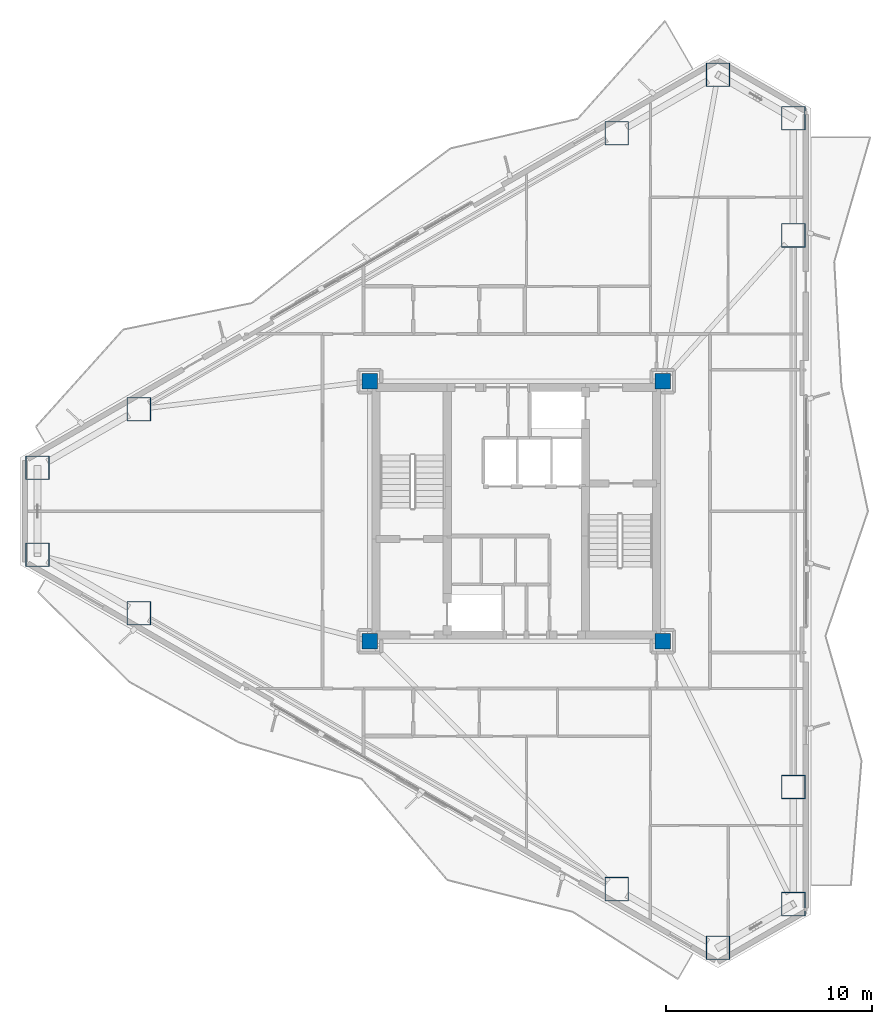
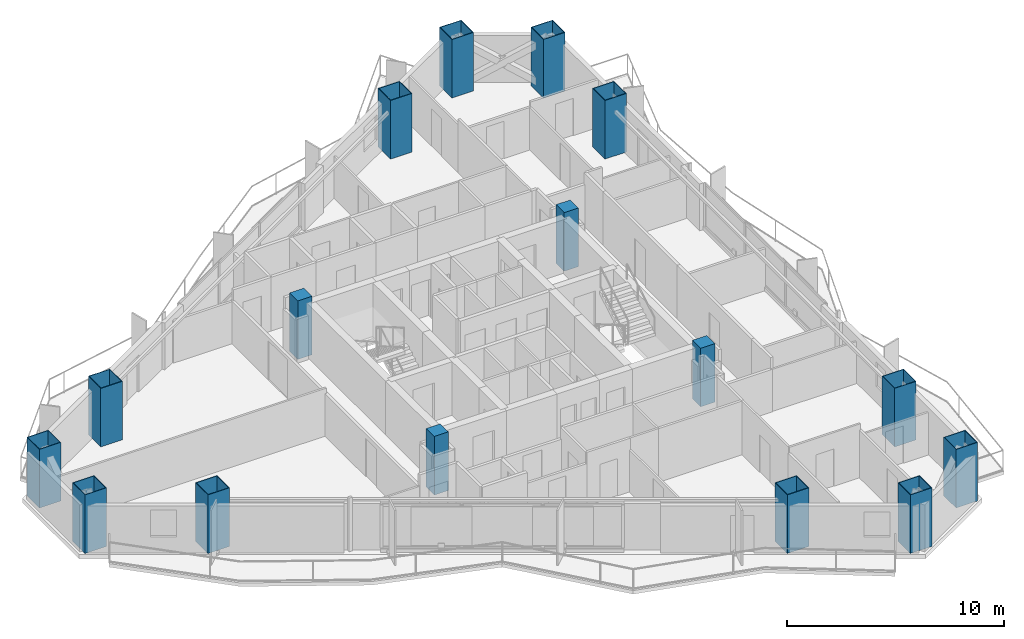
# One storey, part 1 of 22: 16 columns.
"""IFC4 building model written with IfcOpenShell, lengths in metres."""

import ifcopenshell
import ifcopenshell.guid

model = None  # the IFC model being written
_history = None  # IfcOwnerHistory: only IFC2X3 demands one
_inside = {}  # id of a spatial element -> (the spatial element, [elements in it])
_under = {}  # id of a project, library or spatial element -> (it, [spatial elements below it])
_declared = {}  # id of a project -> (the project, [libraries it declares])
_typed = {}  # id of a type object -> (the type object, [elements of that type])
_made_of = {}  # id of a material, layer set ... -> (it, [elements and type objects made of it])


def new_model(schema):
    """Start an empty IFC model of exactly this schema.

    Asked for "IFC4X3", IfcOpenShell would pick the latest addendum, in which some entities
    have other attributes; the version numbers below select the first issue.
    IFC2X3 requires an IfcOwnerHistory on every rooted entity: one is made here for all.
    """
    global model, _history
    if schema == "IFC4X3":
        model = ifcopenshell.file(schema_version=(4, 3, 0, 0))
    else:
        model = ifcopenshell.file(schema=schema)
    _inside.clear()
    _under.clear()
    _declared.clear()
    _typed.clear()
    _made_of.clear()
    _history = None
    if model.schema == "IFC2X3":
        org = make("IfcOrganization", Name="unknown")
        user = make(
            "IfcPersonAndOrganization",
            ThePerson=make("IfcPerson", FamilyName="unknown"),
            TheOrganization=org,
        )
        app = make(
            "IfcApplication",
            ApplicationDeveloper=org,
            Version="unknown",
            ApplicationFullName="unknown",
            ApplicationIdentifier="unknown",
        )
        _history = make(
            "IfcOwnerHistory",
            OwningUser=user,
            OwningApplication=app,
            ChangeAction="ADDED",
            CreationDate=0,
        )
    return model


def make(cls, **values):
    """One entity of the class cls with the attributes given. An attribute that is None is left unset."""
    return model.create_entity(
        cls, **{name: value for name, value in values.items() if value is not None}
    )


def rooted(cls, **values):
    """An entity with a GlobalId (a new one), such as an element, a storey or a relation."""
    return make(cls, GlobalId=ifcopenshell.guid.new(), OwnerHistory=_history, **values)


def si_unit(unit_type, name, prefix=None):
    """IfcSIUnit, for example si_unit("LENGTHUNIT", "METRE", prefix="MILLI")."""
    return make("IfcSIUnit", UnitType=unit_type, Prefix=prefix, Name=name)


def assignment(units):
    """IfcUnitAssignment: the units of a project."""
    return None if units is None else make("IfcUnitAssignment", Units=units)


def point(xyz):
    """IfcCartesianPoint."""
    return None if xyz is None else make("IfcCartesianPoint", Coordinates=xyz)


def direction(xyz):
    """IfcDirection."""
    return None if xyz is None else make("IfcDirection", DirectionRatios=xyz)


def frame(location, z_axis=None, x_axis=None):
    """IfcAxis2Placement3D, a coordinate frame: its origin and axes. An axis left out is left unset."""
    return make(
        "IfcAxis2Placement3D",
        Location=point(location),
        Axis=direction(z_axis),
        RefDirection=direction(x_axis),
    )


def frame_2d(location, x_axis=None):
    """IfcAxis2Placement2D, a coordinate frame in the plane: its origin and x axis."""
    return make(
        "IfcAxis2Placement2D", Location=point(location), RefDirection=direction(x_axis)
    )


def origin():
    """The frame at (0, 0, 0) with its axes left unset."""
    return frame((0.0, 0.0, 0.0))


def origin_2d():
    """The frame at (0, 0) in the plane with its x axis left unset."""
    return frame_2d((0.0, 0.0))


def place(relative_to, where):
    """IfcLocalPlacement: puts the frame where relative to a parent placement (None: the world)."""
    return make(
        "IfcLocalPlacement", PlacementRelTo=relative_to, RelativePlacement=where
    )


def context(
    kind, dimensions, precision=None, world=None, true_north=None, identifier=None
):
    """IfcGeometricRepresentationContext, for example the 3D "Model" context."""
    return make(
        "IfcGeometricRepresentationContext",
        ContextIdentifier=identifier,
        ContextType=kind,
        CoordinateSpaceDimension=dimensions,
        Precision=precision,
        WorldCoordinateSystem=world,
        TrueNorth=true_north,
    )


def subcontext(parent, identifier, kind, view, scale=None):
    """IfcGeometricRepresentationSubContext, for example "Body" below "Model"."""
    return make(
        "IfcGeometricRepresentationSubContext",
        ContextIdentifier=identifier,
        ContextType=kind,
        ParentContext=parent,
        TargetScale=scale,
        TargetView=view,
    )


def project(units=None, contexts=None):
    """IfcProject with its units and contexts."""
    return rooted(
        "IfcProject",
        Name="project",
        RepresentationContexts=contexts,
        UnitsInContext=assignment(units),
    )


def spatial(cls, under=None, at=None, **own):
    """A site, building, storey or space (cls), placed at a placement, below another one or the project."""
    s = rooted(cls, ObjectPlacement=at, **own)
    if under is not None:
        _under.setdefault(under.id(), (under, []))[1].append(s)
    return s


def profile(cls, at=None, kind="AREA", **sizes):
    """A parametric profile (cls). Its sizes go by their IFC names, for example OverallWidth=200.0."""
    return make(cls, ProfileType=kind, Position=at, **sizes)


def rectangle(**sizes):
    """IfcRectangleProfileDef."""
    return profile("IfcRectangleProfileDef", **sizes)


def hollow_rectangle(**sizes):
    """IfcRectangleHollowProfileDef."""
    return profile("IfcRectangleHollowProfileDef", **sizes)


def extrude(swept, where, along, depth):
    """IfcExtrudedAreaSolid: the profile swept, set in the frame where, extruded along a direction by depth."""
    return make(
        "IfcExtrudedAreaSolid",
        SweptArea=swept,
        Position=where,
        ExtrudedDirection=direction(along),
        Depth=depth,
    )


def shape(context_of_items, identifier, shape_type, items):
    """IfcShapeRepresentation: the items that make up one representation, for example the "Body"."""
    return make(
        "IfcShapeRepresentation",
        ContextOfItems=context_of_items,
        RepresentationIdentifier=identifier,
        RepresentationType=shape_type,
        Items=items,
    )


def material(Name=None, Category=None):
    """IfcMaterial."""
    return make("IfcMaterial", Name=Name, Category=Category)


def material_profile(
    of_material, cross_section, Name=None, Category=None, Priority=None
):
    """IfcMaterialProfile: a cross section and its material."""
    return make(
        "IfcMaterialProfile",
        Name=Name,
        Material=of_material,
        Profile=cross_section,
        Priority=Priority,
        Category=Category,
    )


def profile_set(profiles, Name=None, composite=None):
    """IfcMaterialProfileSet."""
    return make(
        "IfcMaterialProfileSet",
        Name=Name,
        MaterialProfiles=profiles,
        CompositeProfile=composite,
    )


def made_of(thing, what):
    """Note that an element or type object is made of a material, layer set ...; save() writes the relation."""
    if what is not None:
        _made_of.setdefault(what.id(), (what, []))[1].append(thing)
    return thing


def type_object(cls, material=None, **own):
    """A type object (cls), such as IfcWallType, which elements share."""
    return made_of(rooted(cls, **own), material)


def element(
    cls,
    number,
    at=None,
    inside=None,
    cuts=None,
    type_object=None,
    material=None,
    context=None,
    identifier="Body",
    shape_type=None,
    held_by="IfcProductDefinitionShape",
    body=None,
    shapes=None,
    **own,
):
    """One element of the class cls, such as IfcWall. Its Tag is "e" and its number.

    at: its placement. inside: the storey or other place that contains it. cuts: it is an
    opening in that element (IfcRelVoidsElement). A single representation is given by context,
    identifier, shape_type and body (its items); several are given by shapes. held_by: the class
    of the entity that holds the representations. save() writes the other relations.
    """
    e = rooted(cls, Tag="e%d" % number, ObjectPlacement=at, **own)
    if body is not None:
        shapes = [shape(context, identifier, shape_type, body)]
    if shapes is not None:
        e.Representation = make(held_by, Representations=shapes)
    if inside is not None:
        _inside.setdefault(inside.id(), (inside, []))[1].append(e)
    if cuts is not None:
        rooted(
            "IfcRelVoidsElement", RelatingBuildingElement=cuts, RelatedOpeningElement=e
        )
    if type_object is not None:
        _typed.setdefault(type_object.id(), (type_object, []))[1].append(e)
    return made_of(e, material)


def aggregate(whole, parts):
    """IfcRelAggregates: a whole, such as a stair, and the parts it consists of."""
    return rooted("IfcRelAggregates", RelatingObject=whole, RelatedObjects=parts)


def save(model, path):
    """Write the relations noted so far, then the file.

    IfcRelAggregates (storeys below a building ...), IfcRelContainedInSpatialStructure (elements
    in a storey), IfcRelDefinesByType, IfcRelAssociatesMaterial and IfcRelDeclares: one each for
    every whole, place, type object, material and project.
    """
    for whole, parts in _under.values():
        aggregate(whole, parts)
    for where, things in _inside.values():
        rooted(
            "IfcRelContainedInSpatialStructure",
            RelatedElements=things,
            RelatingStructure=where,
        )
    for kind, things in _typed.values():
        rooted("IfcRelDefinesByType", RelatedObjects=things, RelatingType=kind)
    for what, things in _made_of.values():
        rooted("IfcRelAssociatesMaterial", RelatedObjects=things, RelatingMaterial=what)
    for by, libraries in _declared.values():
        rooted("IfcRelDeclares", RelatingContext=by, RelatedDefinitions=libraries)
    model.write(path)


model = new_model("IFC4")

# Units and contexts
model_context = context("Model", 3, precision=1e-05, world=origin(), true_north=direction((0.0, 1.0)))
body_context = subcontext(model_context, "Body", "Model", "MODEL_VIEW")
ifc_project = project(units=[si_unit("LENGTHUNIT", "METRE"), si_unit("AREAUNIT", "SQUARE_METRE"), si_unit("VOLUMEUNIT", "CUBIC_METRE"), si_unit("PLANEANGLEUNIT", "RADIAN"), si_unit("MASSUNIT", "GRAM", prefix="KILO")], contexts=[model_context])

# Site, building, storey
site_placement = place(None, origin())
site = spatial("IfcSite", under=ifc_project, at=site_placement, CompositionType="ELEMENT")
building_placement = place(site_placement, origin())
building = spatial("IfcBuilding", under=site, at=building_placement, Name="Mersakhor Tower and Convention Hall", CompositionType="ELEMENT")
storey_placement = place(building_placement, frame((0.0, 0.0, 113.10009765625)))
storey = spatial("IfcBuildingStorey", under=building, at=storey_placement, Name="L31", CompositionType="ELEMENT", Elevation=113.10009765625)

# Columns
ifc_material_1 = material(Name="Concrete C60/75 in S460M steel box", Category="concrete")
ifc_material_profile_1 = material_profile(ifc_material_1, hollow_rectangle(XDim=1.14990234375, YDim=1.14990234375, WallThickness=0.031982421875, at=origin_2d()), Name="SHS 1150x1150x32")
ifc_profile_set_1 = profile_set([ifc_material_profile_1], Name="Concrete C60/75 in S460M steel box")
column_type_1 = type_object("IfcColumnType", Name="COL-CFT-1150", PredefinedType="COLUMN", material=ifc_profile_set_1)
for number, where, z_axis, x_axis, name in (
    (1, (5.78662109375, 28.86083984375, 0.0), (0.0, 0.0, 1.0), (1.0, 0.0, 0.0), "L31 Perimeter Mega-Column MC-01"),
    (2, (10.702392578125, 31.698974609375, 0.0), (0.0, 0.0, 1.0), (1.0, 0.0, 0.0), "L31 Perimeter Mega-Column MC-02"),
    (3, (33.86279296875, 45.070556640625, 0.0), (0.0, 0.0, 1.0), (1.0, 0.0, 0.0), "L31 Perimeter Mega-Column MC-03"),
    (4, (38.77880859375, 47.90869140625, 0.0), (0.0, 0.0, 1.0), (1.0, 0.0, 0.0), "L31 Perimeter Mega-Column MC-04"),
    (5, (42.4345703125, 45.798095703125, 0.0), (0.0, 0.0, 1.0), (1.0, 0.0, 0.0), "L31 Perimeter Mega-Column MC-05"),
    (6, (42.4345703125, 40.12158203125, 0.0), (0.0, 0.0, 1.0), (1.0, 0.0, 0.0), "L31 Perimeter Mega-Column MC-06"),
    (7, (42.4345703125, 13.37841796875, 0.0), (0.0, 0.0, 1.0), (1.0, 0.0, 0.0), "L31 Perimeter Mega-Column MC-07"),
    (8, (42.4345703125, 7.701904296875, 0.0), (0.0, 0.0, 1.0), (1.0, 0.0, 0.0), "L31 Perimeter Mega-Column MC-08"),
    (9, (38.77880859375, 5.59130859375, 0.0), (0.0, 0.0, 1.0), (1.0, 0.0, 0.0), "L31 Perimeter Mega-Column MC-09"),
    (10, (33.86279296875, 8.429443359375, 0.0), (0.0, 0.0, 1.0), (1.0, 0.0, 0.0), "L31 Perimeter Mega-Column MC-10"),
    (11, (10.702392578125, 21.801025390625, 0.0), (0.0, 0.0, 1.0), (1.0, 0.0, 0.0), "L31 Perimeter Mega-Column MC-11"),
    (12, (5.78662109375, 24.63916015625, 0.0), (0.0, 0.0, 1.0), (1.0, 0.0, 0.0), "L31 Perimeter Mega-Column MC-12"),
):
    element("IfcColumn", number, at=place(storey_placement, frame(where, z_axis=z_axis, x_axis=x_axis)), inside=storey, type_object=column_type_1, Name=name, PredefinedType="COLUMN", context=body_context, shape_type="SweptSolid", body=[
        extrude(hollow_rectangle(XDim=1.14990234375, YDim=1.14990234375, WallThickness=0.031982421875, at=origin_2d()), origin(), (0.0, 0.0, 1.0), 3.2998046875),
    ])
ifc_material_2 = material(Name="Concrete C50/60", Category="concrete")
ifc_material_profile_2 = material_profile(ifc_material_2, rectangle(XDim=0.75, YDim=0.75, at=origin_2d()), Name="RC 750x750")
ifc_profile_set_2 = profile_set([ifc_material_profile_2], Name="Concrete C50/60")
column_type_2 = type_object("IfcColumnType", Name="COL-RC-750", PredefinedType="COLUMN", material=ifc_profile_set_2)
for number, where, z_axis, x_axis, name in (
    (13, (21.89990234375, 20.449951171875, 0.0), (0.0, 0.0, 1.0), (1.0, 0.0, 0.0), "L31 Core Corner Column CC-1"),
    (14, (21.89990234375, 33.050048828125, 0.0), (0.0, 0.0, 1.0), (1.0, 0.0, 0.0), "L31 Core Corner Column CC-2"),
    (15, (36.10009765625, 33.050048828125, 0.0), (0.0, 0.0, 1.0), (1.0, 0.0, 0.0), "L31 Core Corner Column CC-3"),
    (16, (36.10009765625, 20.449951171875, 0.0), (0.0, 0.0, 1.0), (1.0, 0.0, 0.0), "L31 Core Corner Column CC-4"),
):
    element("IfcColumn", number, at=place(storey_placement, frame(where, z_axis=z_axis, x_axis=x_axis)), inside=storey, type_object=column_type_2, Name=name, PredefinedType="COLUMN", context=body_context, shape_type="SweptSolid", body=[
        extrude(rectangle(XDim=0.75, YDim=0.75, at=origin_2d()), origin(), (0.0, 0.0, 1.0), 3.2998046875),
    ])

save(model, "model.ifc")
